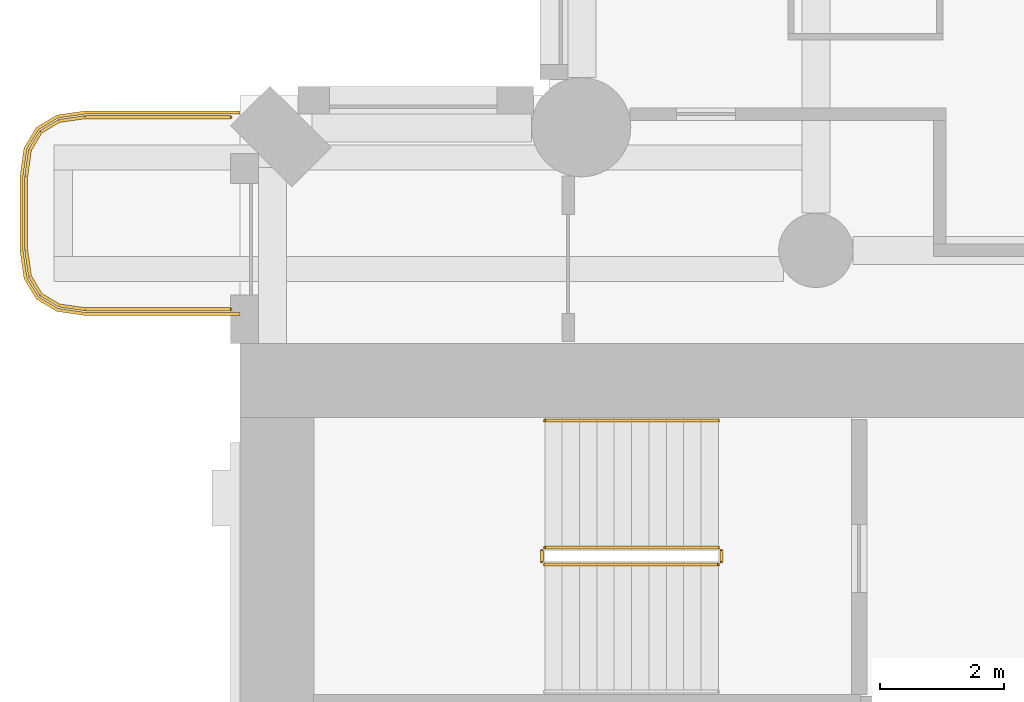
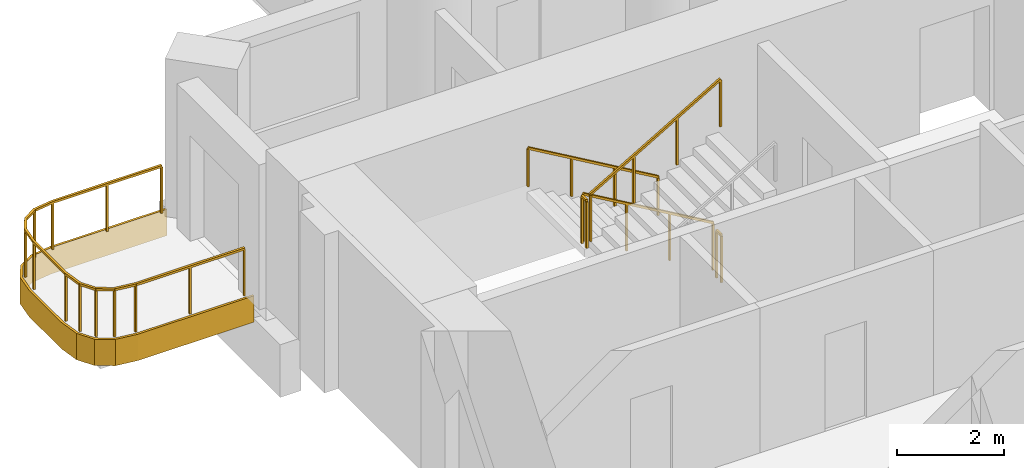
# One storey, part 17 of 20: 6 railings, 1 covering.
"""IFC4 building model written with IfcOpenShell, lengths in metres."""

import ifcopenshell
import ifcopenshell.guid

model = None  # the IFC model being written
_history = None  # IfcOwnerHistory: only IFC2X3 demands one
_inside = {}  # id of a spatial element -> (the spatial element, [elements in it])
_under = {}  # id of a project, library or spatial element -> (it, [spatial elements below it])
_declared = {}  # id of a project -> (the project, [libraries it declares])
_typed = {}  # id of a type object -> (the type object, [elements of that type])
_made_of = {}  # id of a material, layer set ... -> (it, [elements and type objects made of it])


def new_model(schema):
    """Start an empty IFC model of exactly this schema.

    Asked for "IFC4X3", IfcOpenShell would pick the latest addendum, in which some entities
    have other attributes; the version numbers below select the first issue.
    IFC2X3 requires an IfcOwnerHistory on every rooted entity: one is made here for all.
    """
    global model, _history
    if schema == "IFC4X3":
        model = ifcopenshell.file(schema_version=(4, 3, 0, 0))
    else:
        model = ifcopenshell.file(schema=schema)
    _inside.clear()
    _under.clear()
    _declared.clear()
    _typed.clear()
    _made_of.clear()
    _history = None
    if model.schema == "IFC2X3":
        org = make("IfcOrganization", Name="unknown")
        user = make(
            "IfcPersonAndOrganization",
            ThePerson=make("IfcPerson", FamilyName="unknown"),
            TheOrganization=org,
        )
        app = make(
            "IfcApplication",
            ApplicationDeveloper=org,
            Version="unknown",
            ApplicationFullName="unknown",
            ApplicationIdentifier="unknown",
        )
        _history = make(
            "IfcOwnerHistory",
            OwningUser=user,
            OwningApplication=app,
            ChangeAction="ADDED",
            CreationDate=0,
        )
    return model


def make(cls, **values):
    """One entity of the class cls with the attributes given. An attribute that is None is left unset."""
    return model.create_entity(
        cls, **{name: value for name, value in values.items() if value is not None}
    )


def rooted(cls, **values):
    """An entity with a GlobalId (a new one), such as an element, a storey or a relation."""
    return make(cls, GlobalId=ifcopenshell.guid.new(), OwnerHistory=_history, **values)


def si_unit(unit_type, name, prefix=None):
    """IfcSIUnit, for example si_unit("LENGTHUNIT", "METRE", prefix="MILLI")."""
    return make("IfcSIUnit", UnitType=unit_type, Prefix=prefix, Name=name)


def assignment(units):
    """IfcUnitAssignment: the units of a project."""
    return None if units is None else make("IfcUnitAssignment", Units=units)


def point(xyz):
    """IfcCartesianPoint."""
    return None if xyz is None else make("IfcCartesianPoint", Coordinates=xyz)


def direction(xyz):
    """IfcDirection."""
    return None if xyz is None else make("IfcDirection", DirectionRatios=xyz)


def frame(location, z_axis=None, x_axis=None):
    """IfcAxis2Placement3D, a coordinate frame: its origin and axes. An axis left out is left unset."""
    return make(
        "IfcAxis2Placement3D",
        Location=point(location),
        Axis=direction(z_axis),
        RefDirection=direction(x_axis),
    )


def frame_2d(location, x_axis=None):
    """IfcAxis2Placement2D, a coordinate frame in the plane: its origin and x axis."""
    return make(
        "IfcAxis2Placement2D", Location=point(location), RefDirection=direction(x_axis)
    )


def origin():
    """The frame at (0, 0, 0) with its axes left unset."""
    return frame((0.0, 0.0, 0.0))


def origin_2d():
    """The frame at (0, 0) in the plane with its x axis left unset."""
    return frame_2d((0.0, 0.0))


def place(relative_to, where):
    """IfcLocalPlacement: puts the frame where relative to a parent placement (None: the world)."""
    return make(
        "IfcLocalPlacement", PlacementRelTo=relative_to, RelativePlacement=where
    )


def context(
    kind, dimensions, precision=None, world=None, true_north=None, identifier=None
):
    """IfcGeometricRepresentationContext, for example the 3D "Model" context."""
    return make(
        "IfcGeometricRepresentationContext",
        ContextIdentifier=identifier,
        ContextType=kind,
        CoordinateSpaceDimension=dimensions,
        Precision=precision,
        WorldCoordinateSystem=world,
        TrueNorth=true_north,
    )


def subcontext(parent, identifier, kind, view, scale=None):
    """IfcGeometricRepresentationSubContext, for example "Body" below "Model"."""
    return make(
        "IfcGeometricRepresentationSubContext",
        ContextIdentifier=identifier,
        ContextType=kind,
        ParentContext=parent,
        TargetScale=scale,
        TargetView=view,
    )


def project(units=None, contexts=None):
    """IfcProject with its units and contexts."""
    return rooted(
        "IfcProject",
        Name="project",
        RepresentationContexts=contexts,
        UnitsInContext=assignment(units),
    )


def spatial(cls, under=None, at=None, **own):
    """A site, building, storey or space (cls), placed at a placement, below another one or the project."""
    s = rooted(cls, ObjectPlacement=at, **own)
    if under is not None:
        _under.setdefault(under.id(), (under, []))[1].append(s)
    return s


def polyline(points):
    """IfcPolyline through the points."""
    return make("IfcPolyline", Points=[point(p) for p in points])


def profile(cls, at=None, kind="AREA", **sizes):
    """A parametric profile (cls). Its sizes go by their IFC names, for example OverallWidth=200.0."""
    return make(cls, ProfileType=kind, Position=at, **sizes)


def rectangle(**sizes):
    """IfcRectangleProfileDef."""
    return profile("IfcRectangleProfileDef", **sizes)


def outline(outer, holes=None, kind="AREA"):
    """IfcArbitraryClosedProfileDef: a profile drawn as a closed curve; with holes, ...WithVoids."""
    if holes is None:
        return make("IfcArbitraryClosedProfileDef", ProfileType=kind, OuterCurve=outer)
    return make(
        "IfcArbitraryProfileDefWithVoids",
        ProfileType=kind,
        OuterCurve=outer,
        InnerCurves=holes,
    )


def extrude(swept, where, along, depth):
    """IfcExtrudedAreaSolid: the profile swept, set in the frame where, extruded along a direction by depth."""
    return make(
        "IfcExtrudedAreaSolid",
        SweptArea=swept,
        Position=where,
        ExtrudedDirection=direction(along),
        Depth=depth,
    )


def shape(context_of_items, identifier, shape_type, items):
    """IfcShapeRepresentation: the items that make up one representation, for example the "Body"."""
    return make(
        "IfcShapeRepresentation",
        ContextOfItems=context_of_items,
        RepresentationIdentifier=identifier,
        RepresentationType=shape_type,
        Items=items,
    )


def material(Name=None, Category=None):
    """IfcMaterial."""
    return make("IfcMaterial", Name=Name, Category=Category)


def layer(
    of_material, thickness, ventilated=None, Name=None, Category=None, Priority=None
):
    """IfcMaterialLayer: one layer of a wall or slab, of a material (None: an air gap)."""
    return make(
        "IfcMaterialLayer",
        Material=of_material,
        LayerThickness=thickness,
        IsVentilated=ventilated,
        Name=Name,
        Category=Category,
        Priority=Priority,
    )


def layer_set(layers, Name=None):
    """IfcMaterialLayerSet."""
    return make("IfcMaterialLayerSet", MaterialLayers=layers, LayerSetName=Name)


def made_of(thing, what):
    """Note that an element or type object is made of a material, layer set ...; save() writes the relation."""
    if what is not None:
        _made_of.setdefault(what.id(), (what, []))[1].append(thing)
    return thing


def type_object(cls, material=None, **own):
    """A type object (cls), such as IfcWallType, which elements share."""
    return made_of(rooted(cls, **own), material)


def element(
    cls,
    number,
    at=None,
    inside=None,
    cuts=None,
    type_object=None,
    material=None,
    context=None,
    identifier="Body",
    shape_type=None,
    held_by="IfcProductDefinitionShape",
    body=None,
    shapes=None,
    **own,
):
    """One element of the class cls, such as IfcWall. Its Tag is "e" and its number.

    at: its placement. inside: the storey or other place that contains it. cuts: it is an
    opening in that element (IfcRelVoidsElement). A single representation is given by context,
    identifier, shape_type and body (its items); several are given by shapes. held_by: the class
    of the entity that holds the representations. save() writes the other relations.
    """
    e = rooted(cls, Tag="e%d" % number, ObjectPlacement=at, **own)
    if body is not None:
        shapes = [shape(context, identifier, shape_type, body)]
    if shapes is not None:
        e.Representation = make(held_by, Representations=shapes)
    if inside is not None:
        _inside.setdefault(inside.id(), (inside, []))[1].append(e)
    if cuts is not None:
        rooted(
            "IfcRelVoidsElement", RelatingBuildingElement=cuts, RelatedOpeningElement=e
        )
    if type_object is not None:
        _typed.setdefault(type_object.id(), (type_object, []))[1].append(e)
    return made_of(e, material)


def aggregate(whole, parts):
    """IfcRelAggregates: a whole, such as a stair, and the parts it consists of."""
    return rooted("IfcRelAggregates", RelatingObject=whole, RelatedObjects=parts)


def save(model, path):
    """Write the relations noted so far, then the file.

    IfcRelAggregates (storeys below a building ...), IfcRelContainedInSpatialStructure (elements
    in a storey), IfcRelDefinesByType, IfcRelAssociatesMaterial and IfcRelDeclares: one each for
    every whole, place, type object, material and project.
    """
    for whole, parts in _under.values():
        aggregate(whole, parts)
    for where, things in _inside.values():
        rooted(
            "IfcRelContainedInSpatialStructure",
            RelatedElements=things,
            RelatingStructure=where,
        )
    for kind, things in _typed.values():
        rooted("IfcRelDefinesByType", RelatedObjects=things, RelatingType=kind)
    for what, things in _made_of.values():
        rooted("IfcRelAssociatesMaterial", RelatedObjects=things, RelatingMaterial=what)
    for by, libraries in _declared.values():
        rooted("IfcRelDeclares", RelatingContext=by, RelatedDefinitions=libraries)
    model.write(path)


model = new_model("IFC4")

# Units and contexts
model_context = context("Model", 3, precision=1e-05, world=origin(), true_north=direction((0.0, 1.0)))
body_context = subcontext(model_context, "Body", "Model", "MODEL_VIEW")
ifc_project = project(units=[si_unit("LENGTHUNIT", "METRE"), si_unit("AREAUNIT", "SQUARE_METRE"), si_unit("VOLUMEUNIT", "CUBIC_METRE"), si_unit("PLANEANGLEUNIT", "RADIAN"), si_unit("MASSUNIT", "GRAM", prefix="KILO")], contexts=[model_context])

# Site, building, storey
site_placement = place(None, origin())
site = spatial("IfcSite", under=ifc_project, at=site_placement, CompositionType="ELEMENT")
building_placement = place(site_placement, origin())
building = spatial("IfcBuilding", under=site, at=building_placement, Name="Cypress Arch Tower", CompositionType="ELEMENT")
storey_placement = place(building_placement, frame((0.0, 0.0, 87.89990234375)))
storey = spatial("IfcBuildingStorey", under=building, at=storey_placement, Name="L16", CompositionType="ELEMENT", Elevation=87.89990234375)

# Covering
ifc_material_1 = material(Name="White powder-coated aluminium fascia", Category="aluminium")
ifc_layer = layer(ifc_material_1, 0.050048828125)
ifc_layer_set = layer_set([ifc_layer], Name="Balcony fascia BF50")
covering_type = type_object("IfcCoveringType", Name="Balcony fascia BF50", PredefinedType="CLADDING", material=ifc_layer_set)
covering_placement = place(storey_placement, frame((0.0, 0.0, -0.599853515625)))
element("IfcCovering", 1, at=covering_placement, inside=storey, type_object=covering_type, Name="Balcony fascia L16-A00W0", PredefinedType="CLADDING", context=body_context, shape_type="SweptSolid", body=[
    extrude(outline(polyline([(-32.503662109375, 16.449951171875), (-32.95458984375, 16.514404296875), (-33.286376953125, 16.713623046875), (-33.485595703125, 17.04541015625), (-33.550048828125, 17.496337890625), (-33.550048828125, 18.70361328125), (-33.485595703125, 19.154541015625), (-33.286376953125, 19.486328125), (-32.95458984375, 19.685546875), (-32.503662109375, 19.75), (-30.0009765625, 19.75), (-30.0009765625, 19.699951171875), (-32.5, 19.699951171875), (-32.9375, 19.637451171875), (-33.25, 19.449951171875), (-33.4375, 19.137451171875), (-33.5, 18.699951171875), (-33.5, 17.5), (-33.4375, 17.0625), (-33.25, 16.75), (-32.9375, 16.5625), (-32.5, 16.5), (-30.0009765625, 16.5), (-30.0009765625, 16.449951171875), (-32.503662109375, 16.449951171875)])), origin(), (0.0, 0.0, 1.0), 0.599853515625),
])

# Railings
ifc_material_2 = material(Name="Powder-coated steel posts and rods, 100 mm clear between rods", Category="steel")
railing_type_1 = type_object("IfcRailingType", Name="Balcony guard GR1100", PredefinedType="GUARDRAIL", material=ifc_material_2)
railing_1_placement = place(storey_placement, frame((-30.14990234375, 16.550048828125, 0.0)))
element("IfcRailing", 2, at=railing_1_placement, inside=storey, type_object=railing_type_1, Name="Balcony guard L16-A00W0", PredefinedType="GUARDRAIL", context=body_context, shape_type="SweptSolid", body=[
    extrude(rectangle(XDim=0.050048828125, YDim=0.050048828125, at=origin_2d()), frame((0.0, 0.0, 1.0751953125), z_axis=(-1.0, 0.0, 0.0), x_axis=(0.0, -1.0, 0.0)), (0.0, 0.0, 1.0), 2.346435546875),
    extrude(rectangle(XDim=0.050048828125, YDim=0.050048828125, at=origin_2d()), frame((-2.346435546875, 0.0, 1.0751953125), z_axis=(-0.989960888959, 0.141341566184, 0.0), x_axis=(-0.141341566184, -0.989960888959, 0.0)), (0.0, 0.0, 1.0), 0.428466796875),
    extrude(rectangle(XDim=0.050048828125, YDim=0.050048828125, at=origin_2d()), frame((-2.7705078125, 0.060546875, 1.0751953125), z_axis=(-0.857681904839, 0.514180659021, 0.0), x_axis=(-0.514180659021, -0.857681904839, 0.0)), (0.0, 0.0, 1.0), 0.341796875),
    extrude(rectangle(XDim=0.050048828125, YDim=0.050048828125, at=origin_2d()), frame((-3.063720703125, 0.236328125, 1.0751953125), z_axis=(-0.514180659021, 0.857681904839, 0.0), x_axis=(-0.857681904839, -0.514180659021, 0.0)), (0.0, 0.0, 1.0), 0.341796875),
    extrude(rectangle(XDim=0.050048828125, YDim=0.050048828125, at=origin_2d()), frame((-3.239501953125, 0.529541015625, 1.0751953125), z_axis=(-0.141341566184, 0.989960888959, 0.0), x_axis=(-0.989960888959, -0.141341566184, 0.0)), (0.0, 0.0, 1.0), 0.428466796875),
    extrude(rectangle(XDim=0.050048828125, YDim=0.050048828125, at=origin_2d()), frame((-3.300048828125, 0.95361328125, 1.0751953125), z_axis=(0.0, 1.0, 0.0), x_axis=(-1.0, 0.0, 0.0)), (0.0, 0.0, 1.0), 1.19287109375),
    extrude(rectangle(XDim=0.050048828125, YDim=0.050048828125, at=origin_2d()), frame((-3.300048828125, 2.146484375, 1.0751953125), z_axis=(0.141421356237, 0.989949493661, 0.0), x_axis=(-0.989949493661, 0.141421356237, 0.0)), (0.0, 0.0, 1.0), 0.42822265625),
    extrude(rectangle(XDim=0.050048828125, YDim=0.050048828125, at=origin_2d()), frame((-3.239501953125, 2.5703125, 1.0751953125), z_axis=(0.514180659021, 0.857681904839, 0.0), x_axis=(-0.857681904839, 0.514180659021, 0.0)), (0.0, 0.0, 1.0), 0.341796875),
    extrude(rectangle(XDim=0.050048828125, YDim=0.050048828125, at=origin_2d()), frame((-3.063720703125, 2.863525390625, 1.0751953125), z_axis=(0.857681904839, 0.514180659021, 0.0), x_axis=(-0.514180659021, 0.857681904839, 0.0)), (0.0, 0.0, 1.0), 0.341796875),
    extrude(rectangle(XDim=0.050048828125, YDim=0.050048828125, at=origin_2d()), frame((-2.7705078125, 3.039306640625, 1.0751953125), z_axis=(0.989960888959, 0.141341566184, 0.0), x_axis=(-0.141341566184, 0.989960888959, 0.0)), (0.0, 0.0, 1.0), 0.428466796875),
    extrude(rectangle(XDim=0.050048828125, YDim=0.050048828125, at=origin_2d()), frame((-2.346435546875, 3.099853515625, 1.0751953125), z_axis=(1.0, 0.0, 0.0), x_axis=(0.0, 1.0, 0.0)), (0.0, 0.0, 1.0), 2.346435546875),
    extrude(rectangle(XDim=0.0400390625, YDim=0.0400390625, at=origin_2d()), origin(), (0.0, 0.0, 1.0), 1.050048828125),
    extrude(rectangle(XDim=0.0400390625, YDim=0.0400390625, at=origin_2d()), frame((-1.17333984375, 0.0, 0.0)), (0.0, 0.0, 1.0), 1.050048828125),
    extrude(rectangle(XDim=0.0400390625, YDim=0.0400390625, at=origin_2d()), frame((-2.346435546875, 0.0, 0.0)), (0.0, 0.0, 1.0), 1.050048828125),
    extrude(rectangle(XDim=0.0400390625, YDim=0.0400390625, at=origin_2d()), frame((-2.7705078125, 0.060546875, 0.0)), (0.0, 0.0, 1.0), 1.050048828125),
    extrude(rectangle(XDim=0.0400390625, YDim=0.0400390625, at=origin_2d()), frame((-3.063720703125, 0.236328125, 0.0)), (0.0, 0.0, 1.0), 1.050048828125),
    extrude(rectangle(XDim=0.0400390625, YDim=0.0400390625, at=origin_2d()), frame((-3.239501953125, 0.529541015625, 0.0)), (0.0, 0.0, 1.0), 1.050048828125),
    extrude(rectangle(XDim=0.0400390625, YDim=0.0400390625, at=origin_2d()), frame((-3.300048828125, 0.95361328125, 0.0)), (0.0, 0.0, 1.0), 1.050048828125),
    extrude(rectangle(XDim=0.0400390625, YDim=0.0400390625, at=origin_2d()), frame((-3.300048828125, 2.146484375, 0.0)), (0.0, 0.0, 1.0), 1.050048828125),
    extrude(rectangle(XDim=0.0400390625, YDim=0.0400390625, at=origin_2d()), frame((-3.239501953125, 2.5703125, 0.0)), (0.0, 0.0, 1.0), 1.050048828125),
    extrude(rectangle(XDim=0.0400390625, YDim=0.0400390625, at=origin_2d()), frame((-3.063720703125, 2.863525390625, 0.0)), (0.0, 0.0, 1.0), 1.050048828125),
    extrude(rectangle(XDim=0.0400390625, YDim=0.0400390625, at=origin_2d()), frame((-2.7705078125, 3.039306640625, 0.0)), (0.0, 0.0, 1.0), 1.050048828125),
    extrude(rectangle(XDim=0.0400390625, YDim=0.0400390625, at=origin_2d()), frame((-2.346435546875, 3.099853515625, 0.0)), (0.0, 0.0, 1.0), 1.050048828125),
    extrude(rectangle(XDim=0.0400390625, YDim=0.0400390625, at=origin_2d()), frame((-1.17333984375, 3.099853515625, 0.0)), (0.0, 0.0, 1.0), 1.050048828125),
    extrude(rectangle(XDim=0.0400390625, YDim=0.0400390625, at=origin_2d()), frame((0.0, 3.099853515625, 0.0)), (0.0, 0.0, 1.0), 1.050048828125),
])
ifc_material_3 = material(Name="Black powder-coated steel square bar 48 mm", Category="steel")
railing_type_2 = type_object("IfcRailingType", Name="Stair handrail HR1", PredefinedType="HANDRAIL", material=ifc_material_3)
railing_2_placement = place(storey_placement, frame((-22.27490234375, 14.75, 0.163818359375)))
element("IfcRailing", 3, at=railing_2_placement, inside=storey, type_object=railing_type_2, Name="L16 B stair handrail 1", PredefinedType="HANDRAIL", context=body_context, shape_type="SweptSolid", body=[
    extrude(rectangle(XDim=0.048095703125, YDim=0.048095703125, at=origin_2d()), frame((0.0, 0.0, 0.8759765625), z_axis=(-0.863393664356, 0.0, 0.504530851732), x_axis=(0.0, -1.0, 0.0)), (0.0, 0.0, 1.0), 3.2431640625),
    extrude(rectangle(XDim=0.0419921875, YDim=0.0419921875, at=origin_2d()), origin(), (0.0, 0.0, 1.0), 0.851806640625),
    extrude(rectangle(XDim=0.0419921875, YDim=0.0419921875, at=origin_2d()), frame((-0.933349609375, 0.0, 0.54541015625)), (0.0, 0.0, 1.0), 0.851806640625),
    extrude(rectangle(XDim=0.0419921875, YDim=0.0419921875, at=origin_2d()), frame((-1.86669921875, 0.0, 1.0908203125)), (0.0, 0.0, 1.0), 0.851806640625),
    extrude(rectangle(XDim=0.0419921875, YDim=0.0419921875, at=origin_2d()), frame((-2.800048828125, 0.0, 1.63623046875)), (0.0, 0.0, 1.0), 0.851806640625),
])
ifc_material_4 = material(Name="Black powder-coated steel balusters", Category="steel")
railing_type_3 = type_object("IfcRailingType", Name="Stair well guard G1", PredefinedType="GUARDRAIL", material=ifc_material_4)
railing_3_placement = place(storey_placement, frame((-22.27490234375, 12.699951171875, 0.163818359375)))
element("IfcRailing", 4, at=railing_3_placement, inside=storey, type_object=railing_type_3, Name="L16 B stair guard 1", PredefinedType="GUARDRAIL", context=body_context, shape_type="SweptSolid", body=[
    extrude(rectangle(XDim=0.048095703125, YDim=0.048095703125, at=origin_2d()), frame((0.0, 0.0, 1.076171875), z_axis=(-0.863393664356, 0.0, 0.504530851732), x_axis=(0.0, -1.0, 0.0)), (0.0, 0.0, 1.0), 3.2431640625),
    extrude(rectangle(XDim=0.0419921875, YDim=0.0419921875, at=origin_2d()), origin(), (0.0, 0.0, 1.0), 1.052001953125),
    extrude(rectangle(XDim=0.0419921875, YDim=0.0419921875, at=origin_2d()), frame((-0.933349609375, 0.0, 0.54541015625)), (0.0, 0.0, 1.0), 1.052001953125),
    extrude(rectangle(XDim=0.0419921875, YDim=0.0419921875, at=origin_2d()), frame((-1.86669921875, 0.0, 1.0908203125)), (0.0, 0.0, 1.0), 1.052001953125),
    extrude(rectangle(XDim=0.0419921875, YDim=0.0419921875, at=origin_2d()), frame((-2.800048828125, 0.0, 1.63623046875)), (0.0, 0.0, 1.0), 1.052001953125),
])
railing_4_placement = place(storey_placement, frame((-25.125, 12.64990234375, 1.800048828125)))
element("IfcRailing", 5, at=railing_4_placement, inside=storey, type_object=railing_type_3, Name="L16 B stair guard 2", PredefinedType="GUARDRAIL", context=body_context, shape_type="SweptSolid", body=[
    extrude(rectangle(XDim=0.048095703125, YDim=0.048095703125, at=origin_2d()), frame((0.0, 0.0, 1.076171875), z_axis=(0.0, -1.0, 0.0), x_axis=(1.0, 0.0, 0.0)), (0.0, 0.0, 1.0), 0.1748046875),
    extrude(rectangle(XDim=0.0419921875, YDim=0.0419921875, at=origin_2d()), origin(), (0.0, 0.0, 1.0), 1.052001953125),
    extrude(rectangle(XDim=0.0419921875, YDim=0.0419921875, at=origin_2d()), frame((0.0, -0.1748046875, 0.0)), (0.0, 0.0, 1.0), 1.052001953125),
])
railing_5_placement = place(storey_placement, frame((-25.074951171875, 12.425048828125, 1.963623046875)))
element("IfcRailing", 6, at=railing_5_placement, inside=storey, type_object=railing_type_3, Name="L16 B stair guard 3", PredefinedType="GUARDRAIL", context=body_context, shape_type="SweptSolid", body=[
    extrude(rectangle(XDim=0.048095703125, YDim=0.048095703125, at=origin_2d()), frame((0.0, 0.0, 1.076171875), z_axis=(0.863360870873, 0.0, 0.504586966384), x_axis=(0.0, 1.0, 0.0)), (0.0, 0.0, 1.0), 3.2431640625),
    extrude(rectangle(XDim=0.0419921875, YDim=0.0419921875, at=origin_2d()), origin(), (0.0, 0.0, 1.0), 1.052001953125),
    extrude(rectangle(XDim=0.0419921875, YDim=0.0419921875, at=origin_2d()), frame((0.933349609375, 0.0, 0.54541015625)), (0.0, 0.0, 1.0), 1.052001953125),
    extrude(rectangle(XDim=0.0419921875, YDim=0.0419921875, at=origin_2d()), frame((1.86669921875, 0.0, 1.091064453125)), (0.0, 0.0, 1.0), 1.052001953125),
    extrude(rectangle(XDim=0.0419921875, YDim=0.0419921875, at=origin_2d()), frame((2.800048828125, 0.0, 1.636474609375)), (0.0, 0.0, 1.0), 1.052001953125),
])
railing_6_placement = place(storey_placement, frame((-22.22509765625, 12.64990234375, 0.0)))
element("IfcRailing", 7, at=railing_6_placement, inside=storey, type_object=railing_type_3, Name="L16 B stair guard 4", PredefinedType="GUARDRAIL", context=body_context, shape_type="SweptSolid", body=[
    extrude(rectangle(XDim=0.048095703125, YDim=0.048095703125, at=origin_2d()), frame((0.0, 0.0, 1.076171875), z_axis=(0.0, -1.0, 0.0), x_axis=(1.0, 0.0, 0.0)), (0.0, 0.0, 1.0), 0.1748046875),
    extrude(rectangle(XDim=0.0419921875, YDim=0.0419921875, at=origin_2d()), origin(), (0.0, 0.0, 1.0), 1.052001953125),
    extrude(rectangle(XDim=0.0419921875, YDim=0.0419921875, at=origin_2d()), frame((0.0, -0.1748046875, 0.0)), (0.0, 0.0, 1.0), 1.052001953125),
])

save(model, "model.ifc")
